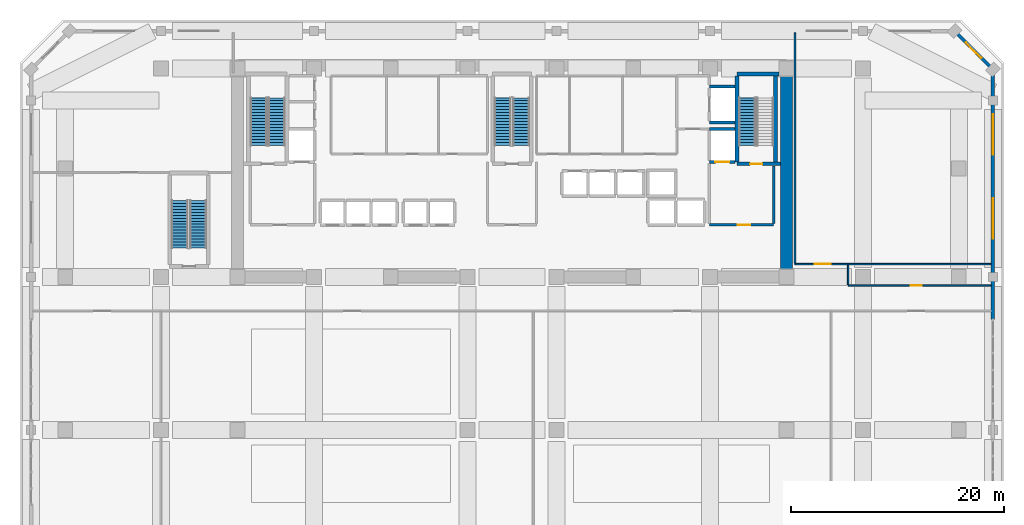
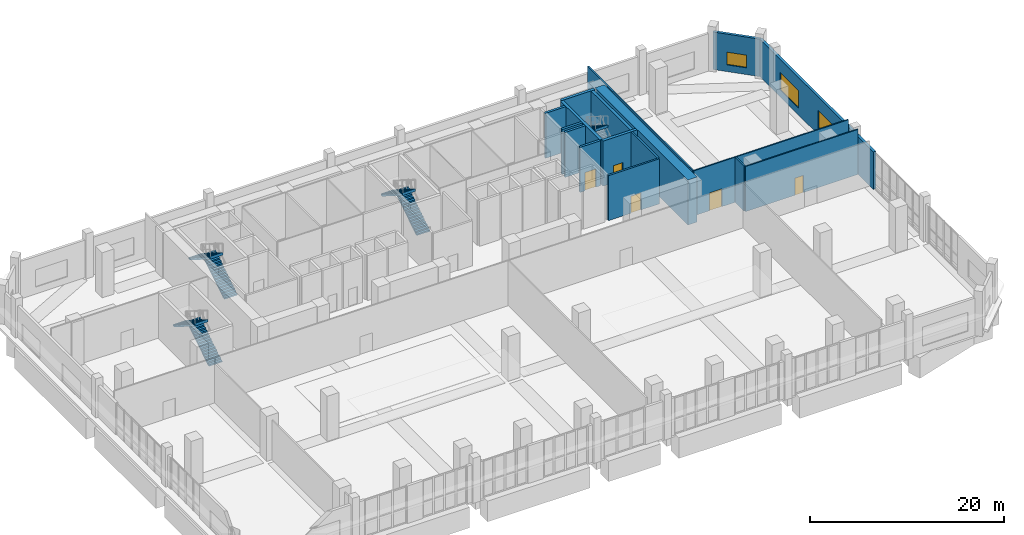
# One storey, part 21 of 25: 17 walls, 7 stair flights, 5 doors, 3 windows, 8 openings, 4 elements without a shape of their own.
"""IFC4 building model written with IfcOpenShell, lengths in metres."""

from ifc_helpers import new_model, si_unit, direction, frame, frame_2d, origin, place, context, subcontext, project, spatial, polyline, rectangle, outline, extrude, material, layer, layer_set, type_object, element, fill, aggregate, save


model = new_model("IFC4")

# Units and contexts
model_context = context("Model", 3, precision=1e-05, world=origin(), true_north=direction((0.0, 1.0)))
body_context = subcontext(model_context, "Body", "Model", "MODEL_VIEW")
ifc_project = project(units=[si_unit("LENGTHUNIT", "METRE"), si_unit("AREAUNIT", "SQUARE_METRE"), si_unit("VOLUMEUNIT", "CUBIC_METRE"), si_unit("PLANEANGLEUNIT", "RADIAN"), si_unit("MASSUNIT", "GRAM", prefix="KILO")], contexts=[model_context])

# Site, building, storey
site_placement = place(None, origin())
site = spatial("IfcSite", under=ifc_project, at=site_placement, CompositionType="ELEMENT")
building_placement = place(site_placement, origin())
building = spatial("IfcBuilding", under=site, at=building_placement, Name="Kaelvorn Grand Hotel", CompositionType="ELEMENT")
storey_placement = place(building_placement, frame((0.0, 0.0, 8.0)))
storey = spatial("IfcBuildingStorey", under=building, at=storey_placement, Name="L01", CompositionType="ELEMENT", Elevation=8.0)

# Wall
ifc_material_1 = material(Name="Concrete C80/95", Category="concrete")
ifc_layer_1 = layer(ifc_material_1, 1.10009765625)
ifc_layer_set_1 = layer_set([ifc_layer_1], Name="Concrete C80/95")
wall_type_1 = type_object("IfcWallType", Name="WL-CORE-1100-C80", PredefinedType="SHEAR", material=ifc_layer_set_1)
wall_1_placement = place(storey_placement, frame((67.800048828125, 29.39990234375, 0.0), z_axis=(0.0, 0.0, 1.0), x_axis=(0.0, 1.0, 0.0)))
element("IfcWall", 1, at=wall_1_placement, inside=storey, type_object=wall_type_1, Name="L01 Rear-Core East Shear Wall", PredefinedType="SHEAR", context=body_context, shape_type="SweptSolid", body=[
    extrude(rectangle(XDim=19.2001953125, YDim=1.10009765625, at=frame_2d((9.60009765625, 0.0))), origin(), (0.0, 0.0, 1.0), 5.679931640625),
])

# Wall, openings, windows
ifc_material_2 = material(Name="Concrete C40/50", Category="concrete")
ifc_layer_2 = layer(ifc_material_2, 0.300048828125)
ifc_layer_set_2 = layer_set([ifc_layer_2], Name="Concrete C40/50")
wall_type_2 = type_object("IfcWallType", Name="WL-EXT-300-C40", PredefinedType="SOLIDWALL", material=ifc_layer_set_2)
wall_2_placement = place(storey_placement, frame((87.199951171875, 25.39501953125, 0.0), z_axis=(0.0, 0.0, 1.0), x_axis=(0.0, 1.0, 0.0)))
wall_2 = element("IfcWall", 2, at=wall_2_placement, inside=storey, type_object=wall_type_2, Name="L01 Exterior Architectural Concrete Wall 03 Pier 3", PredefinedType="SOLIDWALL", context=body_context, shape_type="SweptSolid", body=[
    extrude(rectangle(XDim=23.5048828125, YDim=0.300048828125, at=frame_2d((11.75244140625, 0.0))), origin(), (0.0, 0.0, 1.0), 4.72998046875),
])
opening_1_placement = place(wall_2_placement, frame((7.60498046875, 0.0, 0.85009765625)))
opening_1 = element("IfcOpeningElement", 3, at=opening_1_placement, cuts=wall_2, Name="Opening W9", PredefinedType="OPENING", context=body_context, shape_type="SweptSolid", body=[
    extrude(rectangle(XDim=3.800048828125, YDim=2.199951171875, at=frame_2d((1.89990234375, 1.10009765625))), frame((0.0, 0.16015625, 0.0), z_axis=(0.0, -1.0, 0.0), x_axis=(1.0, 0.0, 0.0)), (0.0, 0.0, 1.0), 0.320068359375),
])
opening_2_placement = place(wall_2_placement, frame((15.5048828125, 0.0, 0.85009765625)))
opening_2 = element("IfcOpeningElement", 4, at=opening_2_placement, cuts=wall_2, Name="Opening W9", PredefinedType="OPENING", context=body_context, shape_type="SweptSolid", body=[
    extrude(rectangle(XDim=3.800048828125, YDim=2.199951171875, at=frame_2d((1.89990234375, 1.10009765625))), frame((0.0, 0.16015625, 0.0), z_axis=(0.0, -1.0, 0.0), x_axis=(1.0, 0.0, 0.0)), (0.0, 0.0, 1.0), 0.320068359375),
])
ifc_material_3 = material(Name="Laminated Low-E Glass", Category="glass")
window_type_1 = type_object("IfcWindowType", Name="WIN-POD-3800x2200", PartitioningType="SINGLE_PANEL", PredefinedType="WINDOW", material=ifc_material_3)
window_1_placement = place(opening_1_placement, origin())
window_1 = element("IfcWindow", 5, at=window_1_placement, inside=storey, type_object=window_type_1, Name="L01 Podium E Ribbon Window 1", OverallHeight=2.199951171875, OverallWidth=3.800048828125, PartitioningType="SINGLE_PANEL", PredefinedType="WINDOW", context=body_context, shape_type="SweptSolid", body=[
    extrude(rectangle(XDim=3.800048828125, YDim=2.199951171875, at=frame_2d((1.89990234375, 1.10009765625))), frame((0.0, 0.030029296875, 0.0), z_axis=(0.0, -1.0, 0.0), x_axis=(1.0, 0.0, 0.0)), (0.0, 0.0, 1.0), 0.06005859375),
])
fill(opening_1, window_1)
window_2_placement = place(opening_2_placement, origin())
window_2 = element("IfcWindow", 6, at=window_2_placement, inside=storey, type_object=window_type_1, Name="L01 Podium E Ribbon Window 2", OverallHeight=2.199951171875, OverallWidth=3.800048828125, PartitioningType="SINGLE_PANEL", PredefinedType="WINDOW", context=body_context, shape_type="SweptSolid", body=[
    extrude(rectangle(XDim=3.800048828125, YDim=2.199951171875, at=frame_2d((1.89990234375, 1.10009765625))), frame((0.0, 0.030029296875, 0.0), z_axis=(0.0, -1.0, 0.0), x_axis=(1.0, 0.0, 0.0)), (0.0, 0.0, 1.0), 0.06005859375),
])
fill(opening_2, window_2)

# Wall, opening, window
wall_3_placement = place(storey_placement, frame((87.199951171875, 48.89990234375, 0.0), z_axis=(0.0, 0.0, 1.0), x_axis=(-0.707082803744, 0.707130757816, 0.0)))
wall_3 = element("IfcWall", 7, at=wall_3_placement, inside=storey, type_object=wall_type_2, Name="L01 Exterior Architectural Concrete Wall 04", PredefinedType="SOLIDWALL", context=body_context, shape_type="SweptSolid", body=[
    extrude(rectangle(XDim=5.091064453125, YDim=0.300048828125, at=frame_2d((2.54541015625, 0.0))), origin(), (0.0, 0.0, 1.0), 4.72998046875),
])
opening_3_placement = place(wall_3_placement, frame((1.49560546875, 0.0, 0.85009765625)))
opening_3 = element("IfcOpeningElement", 8, at=opening_3_placement, cuts=wall_3, Name="Opening W7", PredefinedType="OPENING", context=body_context, shape_type="SweptSolid", body=[
    extrude(rectangle(XDim=2.10009765625, YDim=1.60009765625, at=frame_2d((1.050048828125, 0.800048828125))), frame((0.0, 0.16015625, 0.0), z_axis=(0.0, -1.0, 0.0), x_axis=(1.0, 0.0, 0.0)), (0.0, 0.0, 1.0), 0.320068359375),
])
window_type_2 = type_object("IfcWindowType", Name="WIN-CHM-2100x1600", PartitioningType="SINGLE_PANEL", PredefinedType="WINDOW", material=ifc_material_3)
window_3_placement = place(opening_3_placement, origin())
window_3 = element("IfcWindow", 9, at=window_3_placement, inside=storey, type_object=window_type_2, Name="L01 Chamfered 45-Degree Corner Window NE", OverallHeight=1.60009765625, OverallWidth=2.10009765625, PartitioningType="SINGLE_PANEL", PredefinedType="WINDOW", context=body_context, shape_type="SweptSolid", body=[
    extrude(rectangle(XDim=2.10009765625, YDim=1.60009765625, at=frame_2d((1.050048828125, 0.800048828125))), frame((0.0, 0.030029296875, 0.0), z_axis=(0.0, -1.0, 0.0), x_axis=(1.0, 0.0, 0.0)), (0.0, 0.0, 1.0), 0.06005859375),
])
fill(opening_3, window_3)

# Wall, opening, door
ifc_material_4 = material(Name="Acoustic Gypsum & Stud Partition")
ifc_layer_3 = layer(ifc_material_4, 0.14990234375)
ifc_layer_set_3 = layer_set([ifc_layer_3], Name="Acoustic Gypsum & Stud Partition")
wall_type_3 = type_object("IfcWallType", Name="WL-PART-150-EI60", PredefinedType="PARTITIONING", material=ifc_layer_set_3)
wall_4_placement = place(storey_placement, frame((68.60009765625, 30.60009765625, 0.0), z_axis=(0.0, 0.0, 1.0), x_axis=(1.0, 0.0, 0.0)))
wall_4 = element("IfcWall", 10, at=wall_4_placement, inside=storey, type_object=wall_type_3, Name="L01 L01 North-East Hospitality Office & Prep Suite S Partition", PredefinedType="PARTITIONING", context=body_context, shape_type="SweptSolid", body=[
    extrude(rectangle(XDim=18.44482421875, YDim=0.14990234375, at=frame_2d((9.222412109375, 0.0))), origin(), (0.0, 0.0, 1.0), 5.679931640625),
])
opening_4_placement = place(wall_4_placement, frame((1.85009765625, 0.0, 0.0)))
opening_4 = element("IfcOpeningElement", 11, at=opening_4_placement, cuts=wall_4, Name="Opening DI5", PredefinedType="OPENING", context=body_context, shape_type="SweptSolid", body=[
    extrude(rectangle(XDim=1.5, YDim=2.25, at=frame_2d((0.75, 1.125))), frame((0.0, 0.0849609375, 0.0), z_axis=(0.0, -1.0, 0.0), x_axis=(1.0, 0.0, 0.0)), (0.0, 0.0, 1.0), 0.169921875),
])
ifc_material_5 = material(Name="Timber Veneer Fire Leaf", Category="wood")
door_type_1 = type_object("IfcDoorType", Name="DR-INT-SALON-1500x2250", OperationType="DOUBLE_DOOR_SINGLE_SWING", PredefinedType="DOOR", material=ifc_material_5)
door_1_placement = place(opening_4_placement, origin())
door_1 = element("IfcDoor", 12, at=door_1_placement, inside=storey, type_object=door_type_1, Name="L01 L01 North-East Hospitality Office & Prep Suite Door", OperationType="DOUBLE_DOOR_SINGLE_SWING", OverallHeight=2.25, OverallWidth=1.5, PredefinedType="DOOR", context=body_context, shape_type="SweptSolid", body=[
    extrude(rectangle(XDim=1.5, YDim=2.25, at=frame_2d((0.75, 1.125))), frame((0.0, 0.02490234375, 0.0), z_axis=(0.0, -1.0, 0.0), x_axis=(1.0, 0.0, 0.0)), (0.0, 0.0, 1.0), 0.050048828125),
])
fill(opening_4, door_1)

# Wall
wall_5_placement = place(storey_placement, frame((68.60009765625, 30.679931640625, 0.0), z_axis=(0.0, 0.0, 1.0), x_axis=(0.0, 1.0, 0.0)))
element("IfcWall", 13, at=wall_5_placement, inside=storey, type_object=wall_type_3, Name="L01 L01 North-East Hospitality Office & Prep Suite W Partition", PredefinedType="PARTITIONING", context=body_context, shape_type="SweptSolid", body=[
    extrude(rectangle(XDim=21.6650390625, YDim=0.14990234375, at=frame_2d((10.83251953125, 0.0))), origin(), (0.0, 0.0, 1.0), 5.679931640625),
])

# Wall, opening, door
wall_6_placement = place(storey_placement, frame((73.60009765625, 28.60009765625, 0.0), z_axis=(0.0, 0.0, 1.0), x_axis=(1.0, 0.0, 0.0)))
wall_6 = element("IfcWall", 14, at=wall_6_placement, inside=storey, type_object=wall_type_3, Name="L01 L01 East Podium Support Office S Partition", PredefinedType="PARTITIONING", context=body_context, shape_type="SweptSolid", body=[
    extrude(rectangle(XDim=13.44482421875, YDim=0.14990234375, at=frame_2d((6.722412109375, 0.0))), origin(), (0.0, 0.0, 1.0), 5.679931640625),
])
opening_5_placement = place(wall_6_placement, frame((5.89990234375, 0.0, 0.0)))
opening_5 = element("IfcOpeningElement", 15, at=opening_5_placement, cuts=wall_6, Name="Opening DI3", PredefinedType="OPENING", context=body_context, shape_type="SweptSolid", body=[
    extrude(rectangle(XDim=1.0, YDim=2.14990234375, at=frame_2d((0.5, 1.074951171875))), frame((0.0, 0.0849609375, 0.0), z_axis=(0.0, -1.0, 0.0), x_axis=(1.0, 0.0, 0.0)), (0.0, 0.0, 1.0), 0.169921875),
])
door_type_2 = type_object("IfcDoorType", Name="DR-INT-GUEST-1000x2150", OperationType="NOTDEFINED", PredefinedType="DOOR", material=ifc_material_5)
door_2_placement = place(opening_5_placement, origin())
door_2 = element("IfcDoor", 16, at=door_2_placement, inside=storey, type_object=door_type_2, Name="L01 L01 East Podium Support Office Door", OperationType="SINGLE_SWING_LEFT", OverallHeight=2.14990234375, OverallWidth=1.0, PredefinedType="DOOR", context=body_context, shape_type="SweptSolid", body=[
    extrude(rectangle(XDim=1.0, YDim=2.14990234375, at=frame_2d((0.5, 1.074951171875))), frame((0.0, 0.02490234375, 0.0), z_axis=(0.0, -1.0, 0.0), x_axis=(1.0, 0.0, 0.0)), (0.0, 0.0, 1.0), 0.050048828125),
])
fill(opening_5, door_2)

# Wall
wall_7_placement = place(storey_placement, frame((73.60009765625, 28.679931640625, 0.0), z_axis=(0.0, 0.0, 1.0), x_axis=(0.0, 1.0, 0.0)))
element("IfcWall", 17, at=wall_7_placement, inside=storey, type_object=wall_type_3, Name="L01 L01 East Podium Support Office W Partition", PredefinedType="PARTITIONING", context=body_context, shape_type="SweptSolid", body=[
    extrude(rectangle(XDim=1.840087890625, YDim=0.14990234375, at=frame_2d((0.919921875, 0.0))), origin(), (0.0, 0.0, 1.0), 5.679931640625),
])

# Wall, opening, door
ifc_layer_4 = layer(ifc_material_2, 0.219970703125)
ifc_layer_set_4 = layer_set([ifc_layer_4], Name="Concrete C40/50")
wall_type_4 = type_object("IfcWallType", Name="WL-PART-220-EI120", PredefinedType="PARTITIONING", material=ifc_layer_set_4)
wall_8_placement = place(storey_placement, frame((60.550048828125, 34.300048828125, 0.0), z_axis=(0.0, 0.0, 1.0), x_axis=(1.0, 0.0, 0.0)))
wall_8 = element("IfcWall", 18, at=wall_8_placement, inside=storey, type_object=wall_type_4, Name="L01 Firefighting Lift Lobby 2 S Partition", PredefinedType="PARTITIONING", context=body_context, shape_type="SweptSolid", body=[
    extrude(rectangle(XDim=6.050048828125, YDim=0.219970703125, at=frame_2d((3.02490234375, 0.0))), origin(), (0.0, 0.0, 1.0), 5.679931640625),
])
opening_6_placement = place(wall_8_placement, frame((2.64990234375, 0.0, 0.0)))
opening_6 = element("IfcOpeningElement", 19, at=opening_6_placement, cuts=wall_8, Name="Opening DI2", PredefinedType="OPENING", context=body_context, shape_type="SweptSolid", body=[
    extrude(rectangle(XDim=1.199951171875, YDim=2.14990234375, at=frame_2d((0.60009765625, 1.074951171875))), frame((0.0, 0.1201171875, 0.0), z_axis=(0.0, -1.0, 0.0), x_axis=(1.0, 0.0, 0.0)), (0.0, 0.0, 1.0), 0.239990234375),
])
door_type_3 = type_object("IfcDoorType", Name="DR-INT-FFLOB-1200x2150", OperationType="NOTDEFINED", PredefinedType="DOOR", material=ifc_material_5)
door_3_placement = place(opening_6_placement, origin())
door_3 = element("IfcDoor", 20, at=door_3_placement, inside=storey, type_object=door_type_3, Name="L01 Firefighting Lift Lobby 2 Door", OperationType="SINGLE_SWING_RIGHT", OverallHeight=2.14990234375, OverallWidth=1.199951171875, PredefinedType="DOOR", context=body_context, shape_type="SweptSolid", body=[
    extrude(rectangle(XDim=1.199951171875, YDim=2.14990234375, at=frame_2d((0.60009765625, 1.074951171875))), frame((0.0, 0.02490234375, 0.0), z_axis=(0.0, -1.0, 0.0), x_axis=(1.0, 0.0, 0.0)), (0.0, 0.0, 1.0), 0.050048828125),
])
fill(opening_6, door_3)

# Wall
wall_9_placement = place(storey_placement, frame((66.60009765625, 34.4150390625, 0.0), z_axis=(0.0, 0.0, 1.0), x_axis=(0.0, 1.0, 0.0)))
element("IfcWall", 21, at=wall_9_placement, inside=storey, type_object=wall_type_4, Name="L01 Firefighting Lift Lobby 2 E Partition", PredefinedType="PARTITIONING", context=body_context, shape_type="SweptSolid", body=[
    extrude(rectangle(XDim=5.429931640625, YDim=0.219970703125, at=frame_2d((2.71484375, 0.0))), origin(), (0.0, 0.0, 1.0), 5.679931640625),
])

# Wall, opening, door
ifc_material_6 = material(Name="Concrete C50/60", Category="concrete")
ifc_layer_5 = layer(ifc_material_6, 0.280029296875)
ifc_layer_set_5 = layer_set([ifc_layer_5], Name="Concrete C50/60")
wall_type_5 = type_object("IfcWallType", Name="WL-SHAFT-280-C50", PredefinedType="SHEAR", material=ifc_layer_set_5)
wall_10_placement = place(storey_placement, frame((60.550048828125, 40.199951171875, 0.0), z_axis=(0.0, 0.0, 1.0), x_axis=(1.0, 0.0, 0.0)))
wall_10 = element("IfcWall", 22, at=wall_10_placement, inside=storey, type_object=wall_type_5, Name="L01 Lift FFL2 Shaft South Wall", PredefinedType="SHEAR", context=body_context, shape_type="SweptSolid", body=[
    extrude(rectangle(XDim=2.4150390625, YDim=0.280029296875, at=frame_2d((1.20751953125, 0.0))), origin(), (0.0, 0.0, 1.0), 5.679931640625),
])
opening_7_placement = place(wall_10_placement, frame((0.574951171875, 0.0, 0.0)))
opening_7 = element("IfcOpeningElement", 23, at=opening_7_placement, cuts=wall_10, Name="Opening LD-FFL2", PredefinedType="OPENING", context=body_context, shape_type="SweptSolid", body=[
    extrude(rectangle(XDim=1.300048828125, YDim=2.300048828125, at=frame_2d((0.64990234375, 1.14990234375))), frame((0.0, 0.14990234375, 0.0), z_axis=(0.0, -1.0, 0.0), x_axis=(1.0, 0.0, 0.0)), (0.0, 0.0, 1.0), 0.300048828125),
])
ifc_material_7 = material(Name="Stainless Steel", Category="steel")
door_type_4 = type_object("IfcDoorType", Name="DR-LIFT-SERV-1300x2300", OperationType="DOUBLE_DOOR_SLIDING", PredefinedType="DOOR", material=ifc_material_7)
door_4_placement = place(opening_7_placement, origin())
door_4 = element("IfcDoor", 24, at=door_4_placement, inside=storey, type_object=door_type_4, Name="L01 Lift FFL2 Sliding Landing Door LD-FFL2", OperationType="DOUBLE_DOOR_SLIDING", OverallHeight=2.300048828125, OverallWidth=1.300048828125, PredefinedType="DOOR", context=body_context, shape_type="SweptSolid", body=[
    extrude(rectangle(XDim=1.300048828125, YDim=2.300048828125, at=frame_2d((0.64990234375, 1.14990234375))), frame((0.0, 0.02490234375, 0.0), z_axis=(0.0, -1.0, 0.0), x_axis=(1.0, 0.0, 0.0)), (0.0, 0.0, 1.0), 0.050048828125),
])
fill(opening_7, door_4)

# Walls
for number, where, z_axis, x_axis, name in (
    (25, (60.550048828125, 43.300048828125, 0.0), (0.0, 0.0, 1.0), (1.0, 0.0, 0.0), "L01 Lift FFL2 Shaft North Wall"),
    (26, (60.550048828125, 43.89990234375, 0.0), (0.0, 0.0, 1.0), (1.0, 0.0, 0.0), "L01 Lift SV1 Shaft South Wall"),
    (27, (60.550048828125, 47.300048828125, 0.0), (0.0, 0.0, 1.0), (1.0, 0.0, 0.0), "L01 Lift SV1 Shaft North Wall"),
):
    element("IfcWall", number, at=place(storey_placement, frame(where, z_axis=z_axis, x_axis=x_axis)), inside=storey, type_object=wall_type_5, Name=name, PredefinedType="SHEAR", context=body_context, shape_type="SweptSolid", body=[
        extrude(rectangle(XDim=2.4150390625, YDim=0.280029296875, at=frame_2d((1.20751953125, 0.0))), origin(), (0.0, 0.0, 1.0), 5.679931640625),
    ])

# Wall, opening, door
ifc_material_8 = material(Name="Concrete C60/75", Category="concrete")
ifc_layer_6 = layer(ifc_material_8, 0.35009765625)
ifc_layer_set_6 = layer_set([ifc_layer_6], Name="Concrete C60/75")
wall_type_6 = type_object("IfcWallType", Name="WL-SHAFT-350-C60", PredefinedType="SHEAR", material=ifc_layer_set_6)
wall_11_placement = place(storey_placement, frame((63.14501953125, 40.02490234375, 0.0), z_axis=(0.0, 0.0, 1.0), x_axis=(1.0, 0.0, 0.0)))
wall_11 = element("IfcWall", 28, at=wall_11_placement, inside=storey, type_object=wall_type_6, Name="L01 ST3 Stair Shaft South Wall", PredefinedType="SHEAR", context=body_context, shape_type="SweptSolid", body=[
    extrude(rectangle(XDim=4.10009765625, YDim=0.35009765625, at=frame_2d((2.050048828125, 0.0))), origin(), (0.0, 0.0, 1.0), 5.679931640625),
])
opening_8_placement = place(wall_11_placement, frame((1.239990234375, 0.0, 0.0)))
opening_8 = element("IfcOpeningElement", 29, at=opening_8_placement, cuts=wall_11, Name="Opening DI1", PredefinedType="OPENING", context=body_context, shape_type="SweptSolid", body=[
    extrude(rectangle(XDim=1.14990234375, YDim=2.14990234375, at=frame_2d((0.574951171875, 1.074951171875))), frame((0.0, 0.18505859375, 0.0), z_axis=(0.0, -1.0, 0.0), x_axis=(1.0, 0.0, 0.0)), (0.0, 0.0, 1.0), 0.3701171875),
])
door_type_5 = type_object("IfcDoorType", Name="DR-INT-STAIR-1150x2150", OperationType="NOTDEFINED", PredefinedType="DOOR", material=ifc_material_5)
door_5_placement = place(opening_8_placement, origin())
door_5 = element("IfcDoor", 30, at=door_5_placement, inside=storey, type_object=door_type_5, Name="L01 ST3 Exit Stair Fire Door", OperationType="SINGLE_SWING_LEFT", OverallHeight=2.14990234375, OverallWidth=1.14990234375, PredefinedType="DOOR", context=body_context, shape_type="SweptSolid", body=[
    extrude(rectangle(XDim=1.14990234375, YDim=2.14990234375, at=frame_2d((0.574951171875, 1.074951171875))), frame((0.0, 0.02490234375, 0.0), z_axis=(0.0, -1.0, 0.0), x_axis=(1.0, 0.0, 0.0)), (0.0, 0.0, 1.0), 0.050048828125),
])
fill(opening_8, door_5)

# Walls
wall_12_placement = place(storey_placement, frame((63.14501953125, 48.47509765625, 0.0), z_axis=(0.0, 0.0, 1.0), x_axis=(1.0, 0.0, 0.0)))
element("IfcWall", 31, at=wall_12_placement, inside=storey, type_object=wall_type_6, Name="L01 ST3 Stair Shaft North Wall", PredefinedType="SHEAR", context=body_context, shape_type="SweptSolid", body=[
    extrude(rectangle(XDim=3.949951171875, YDim=0.35009765625, at=frame_2d((1.97509765625, 0.0))), origin(), (0.0, 0.0, 1.0), 5.679931640625),
])
for number, where, z_axis, x_axis, name in (
    (32, (63.14501953125, 40.205078125, 0.0), (0.0, 0.0, 1.0), (0.0, 1.0, 0.0), "L01 ST3 Stair Shaft West Wall"),
    (33, (66.77490234375, 40.205078125, 0.0), (0.0, 0.0, 1.0), (0.0, 1.0, 0.0), "L01 ST3 Stair Shaft East Wall"),
):
    element("IfcWall", number, at=place(storey_placement, frame(where, z_axis=z_axis, x_axis=x_axis)), inside=storey, type_object=wall_type_6, Name=name, PredefinedType="SHEAR", context=body_context, shape_type="SweptSolid", body=[
        extrude(rectangle(XDim=8.08984375, YDim=0.35009765625, at=frame_2d((4.044921875, 0.0))), origin(), (0.0, 0.0, 1.0), 5.679931640625),
    ])

# Stair, stair flights
stair_type = type_object("IfcStairType", Name="STR-DOG-1560-R03", PredefinedType="HALF_TURN_STAIR", material=ifc_material_2)
stair_1_placement = place(storey_placement, origin())
stair_1 = element("IfcStair", 34, at=stair_1_placement, inside=storey, type_object=stair_type, Name="L01 West Core Exit Stair ST1", PredefinedType="HALF_TURN_STAIR")
stair_flight_type = type_object("IfcStairFlightType", Name="FLG-DOG-1560-R03", PredefinedType="STRAIGHT", material=ifc_material_2)
stair_flight_1_placement = place(storey_placement, frame((19.89990234375, 41.760009765625, 0.0), z_axis=(0.0, 0.0, 1.0), x_axis=(0.0, 1.0, 0.0)))
stair_flight_1 = element("IfcStairFlight", 35, at=stair_flight_1_placement, type_object=stair_flight_type, Name="ST1 flight 1", NumberOfRisers=17, NumberOfTreads=16, PredefinedType="STRAIGHT", RiserHeight=0.176470588, TreadLength=0.28, context=body_context, shape_type="SweptSolid", body=[
    extrude(outline(polyline([(-0.0048828125, 0.0), (-0.0048828125, 0.0400390625), (0.0, 0.176513671875), (0.280029296875, 0.176513671875), (0.280029296875, 0.35302734375), (0.56005859375, 0.35302734375), (0.56005859375, 0.529296875), (0.840087890625, 0.529296875), (0.840087890625, 0.705810546875), (1.1201171875, 0.705810546875), (1.1201171875, 0.88232421875), (1.39990234375, 0.88232421875), (1.39990234375, 1.058837890625), (1.679931640625, 1.058837890625), (1.679931640625, 1.2353515625), (1.9599609375, 1.2353515625), (1.9599609375, 1.411865234375), (2.239990234375, 1.411865234375), (2.239990234375, 1.588134765625), (2.52001953125, 1.588134765625), (2.52001953125, 1.7646484375), (2.800048828125, 1.7646484375), (2.800048828125, 1.941162109375), (3.080078125, 1.941162109375), (3.080078125, 2.11767578125), (3.360107421875, 2.11767578125), (3.360107421875, 2.294189453125), (3.639892578125, 2.294189453125), (3.639892578125, 2.470703125), (3.919921875, 2.470703125), (3.919921875, 2.64697265625), (4.199951171875, 2.64697265625), (4.199951171875, 2.823486328125), (4.47998046875, 2.823486328125), (4.47998046875, 3.0), (4.485107421875, 3.0), (4.485107421875, 2.646240234375), (0.28125, 0.0), (-0.0048828125, 0.0)])), frame((0.0, 0.780029296875, 0.0), z_axis=(0.0, -1.0, 0.0), x_axis=(1.0, 0.0, 0.0)), (0.0, 0.0, 1.0), 1.56005859375),
])
stair_flight_2_placement = place(storey_placement, frame((18.179931640625, 46.239990234375, 3.0), z_axis=(0.0, 0.0, 1.0), x_axis=(0.0, -1.0, 0.0)))
stair_flight_2 = element("IfcStairFlight", 36, at=stair_flight_2_placement, type_object=stair_flight_type, Name="ST1 flight 2", NumberOfRisers=17, NumberOfTreads=16, PredefinedType="STRAIGHT", RiserHeight=0.176470588, TreadLength=0.28, context=body_context, shape_type="SweptSolid", body=[
    extrude(outline(polyline([(-0.0048828125, 0.0), (-0.0048828125, 0.0400390625), (0.0, 0.176513671875), (0.280029296875, 0.176513671875), (0.280029296875, 0.35302734375), (0.56005859375, 0.35302734375), (0.56005859375, 0.529296875), (0.840087890625, 0.529296875), (0.840087890625, 0.705810546875), (1.1201171875, 0.705810546875), (1.1201171875, 0.88232421875), (1.39990234375, 0.88232421875), (1.39990234375, 1.058837890625), (1.679931640625, 1.058837890625), (1.679931640625, 1.2353515625), (1.9599609375, 1.2353515625), (1.9599609375, 1.411865234375), (2.239990234375, 1.411865234375), (2.239990234375, 1.588134765625), (2.52001953125, 1.588134765625), (2.52001953125, 1.7646484375), (2.800048828125, 1.7646484375), (2.800048828125, 1.941162109375), (3.080078125, 1.941162109375), (3.080078125, 2.11767578125), (3.360107421875, 2.11767578125), (3.360107421875, 2.294189453125), (3.639892578125, 2.294189453125), (3.639892578125, 2.470703125), (3.919921875, 2.470703125), (3.919921875, 2.64697265625), (4.199951171875, 2.64697265625), (4.199951171875, 2.823486328125), (4.47998046875, 2.823486328125), (4.47998046875, 3.0), (4.485107421875, 3.0), (4.485107421875, 2.646240234375), (0.28125, 0.0), (-0.0048828125, 0.0)])), frame((0.0, 0.780029296875, 0.0), z_axis=(0.0, -1.0, 0.0), x_axis=(1.0, 0.0, 0.0)), (0.0, 0.0, 1.0), 1.56005859375),
])
aggregate(stair_1, [stair_flight_1, stair_flight_2])

stair_2_placement = place(storey_placement, origin())
stair_2 = element("IfcStair", 37, at=stair_2_placement, inside=storey, type_object=stair_type, Name="L01 Central Core Exit Stair ST2", PredefinedType="HALF_TURN_STAIR")
stair_flight_3_placement = place(storey_placement, frame((42.860107421875, 41.760009765625, 0.0), z_axis=(0.0, 0.0, 1.0), x_axis=(0.0, 1.0, 0.0)))
stair_flight_3 = element("IfcStairFlight", 38, at=stair_flight_3_placement, type_object=stair_flight_type, Name="ST2 flight 1", NumberOfRisers=17, NumberOfTreads=16, PredefinedType="STRAIGHT", RiserHeight=0.176470588, TreadLength=0.28, context=body_context, shape_type="SweptSolid", body=[
    extrude(outline(polyline([(-0.0048828125, 0.0), (-0.0048828125, 0.0400390625), (0.0, 0.176513671875), (0.280029296875, 0.176513671875), (0.280029296875, 0.35302734375), (0.56005859375, 0.35302734375), (0.56005859375, 0.529296875), (0.840087890625, 0.529296875), (0.840087890625, 0.705810546875), (1.1201171875, 0.705810546875), (1.1201171875, 0.88232421875), (1.39990234375, 0.88232421875), (1.39990234375, 1.058837890625), (1.679931640625, 1.058837890625), (1.679931640625, 1.2353515625), (1.9599609375, 1.2353515625), (1.9599609375, 1.411865234375), (2.239990234375, 1.411865234375), (2.239990234375, 1.588134765625), (2.52001953125, 1.588134765625), (2.52001953125, 1.7646484375), (2.800048828125, 1.7646484375), (2.800048828125, 1.941162109375), (3.080078125, 1.941162109375), (3.080078125, 2.11767578125), (3.360107421875, 2.11767578125), (3.360107421875, 2.294189453125), (3.639892578125, 2.294189453125), (3.639892578125, 2.470703125), (3.919921875, 2.470703125), (3.919921875, 2.64697265625), (4.199951171875, 2.64697265625), (4.199951171875, 2.823486328125), (4.47998046875, 2.823486328125), (4.47998046875, 3.0), (4.485107421875, 3.0), (4.485107421875, 2.646240234375), (0.28125, 0.0), (-0.0048828125, 0.0)])), frame((0.0, 0.780029296875, 0.0), z_axis=(0.0, -1.0, 0.0), x_axis=(1.0, 0.0, 0.0)), (0.0, 0.0, 1.0), 1.56005859375),
])
stair_flight_4_placement = place(storey_placement, frame((41.139892578125, 46.239990234375, 3.0), z_axis=(0.0, 0.0, 1.0), x_axis=(0.0, -1.0, 0.0)))
stair_flight_4 = element("IfcStairFlight", 39, at=stair_flight_4_placement, type_object=stair_flight_type, Name="ST2 flight 2", NumberOfRisers=17, NumberOfTreads=16, PredefinedType="STRAIGHT", RiserHeight=0.176470588, TreadLength=0.28, context=body_context, shape_type="SweptSolid", body=[
    extrude(outline(polyline([(-0.0048828125, 0.0), (-0.0048828125, 0.0400390625), (0.0, 0.176513671875), (0.280029296875, 0.176513671875), (0.280029296875, 0.35302734375), (0.56005859375, 0.35302734375), (0.56005859375, 0.529296875), (0.840087890625, 0.529296875), (0.840087890625, 0.705810546875), (1.1201171875, 0.705810546875), (1.1201171875, 0.88232421875), (1.39990234375, 0.88232421875), (1.39990234375, 1.058837890625), (1.679931640625, 1.058837890625), (1.679931640625, 1.2353515625), (1.9599609375, 1.2353515625), (1.9599609375, 1.411865234375), (2.239990234375, 1.411865234375), (2.239990234375, 1.588134765625), (2.52001953125, 1.588134765625), (2.52001953125, 1.7646484375), (2.800048828125, 1.7646484375), (2.800048828125, 1.941162109375), (3.080078125, 1.941162109375), (3.080078125, 2.11767578125), (3.360107421875, 2.11767578125), (3.360107421875, 2.294189453125), (3.639892578125, 2.294189453125), (3.639892578125, 2.470703125), (3.919921875, 2.470703125), (3.919921875, 2.64697265625), (4.199951171875, 2.64697265625), (4.199951171875, 2.823486328125), (4.47998046875, 2.823486328125), (4.47998046875, 3.0), (4.485107421875, 3.0), (4.485107421875, 2.646240234375), (0.28125, 0.0), (-0.0048828125, 0.0)])), frame((0.0, 0.780029296875, 0.0), z_axis=(0.0, -1.0, 0.0), x_axis=(1.0, 0.0, 0.0)), (0.0, 0.0, 1.0), 1.56005859375),
])
aggregate(stair_2, [stair_flight_3, stair_flight_4])

# Stair, stair flight
stair_3_placement = place(storey_placement, origin())
stair_3 = element("IfcStair", 40, at=stair_3_placement, inside=storey, type_object=stair_type, Name="L01 East Core Exit Stair ST3", PredefinedType="HALF_TURN_STAIR")
stair_flight_5_placement = place(storey_placement, frame((64.10009765625, 46.239990234375, 3.0), z_axis=(0.0, 0.0, 1.0), x_axis=(0.0, -1.0, 0.0)))
stair_flight_5 = element("IfcStairFlight", 41, at=stair_flight_5_placement, type_object=stair_flight_type, Name="ST3 flight 2", NumberOfRisers=17, NumberOfTreads=16, PredefinedType="STRAIGHT", RiserHeight=0.176470588, TreadLength=0.28, context=body_context, shape_type="SweptSolid", body=[
    extrude(outline(polyline([(-0.0048828125, 0.0), (-0.0048828125, 0.0400390625), (0.0, 0.176513671875), (0.280029296875, 0.176513671875), (0.280029296875, 0.35302734375), (0.56005859375, 0.35302734375), (0.56005859375, 0.529296875), (0.840087890625, 0.529296875), (0.840087890625, 0.705810546875), (1.1201171875, 0.705810546875), (1.1201171875, 0.88232421875), (1.39990234375, 0.88232421875), (1.39990234375, 1.058837890625), (1.679931640625, 1.058837890625), (1.679931640625, 1.2353515625), (1.9599609375, 1.2353515625), (1.9599609375, 1.411865234375), (2.239990234375, 1.411865234375), (2.239990234375, 1.588134765625), (2.52001953125, 1.588134765625), (2.52001953125, 1.7646484375), (2.800048828125, 1.7646484375), (2.800048828125, 1.941162109375), (3.080078125, 1.941162109375), (3.080078125, 2.11767578125), (3.360107421875, 2.11767578125), (3.360107421875, 2.294189453125), (3.639892578125, 2.294189453125), (3.639892578125, 2.470703125), (3.919921875, 2.470703125), (3.919921875, 2.64697265625), (4.199951171875, 2.64697265625), (4.199951171875, 2.823486328125), (4.47998046875, 2.823486328125), (4.47998046875, 3.0), (4.485107421875, 3.0), (4.485107421875, 2.646240234375), (0.28125, 0.0), (-0.0048828125, 0.0)])), frame((0.0, 0.780029296875, 0.0), z_axis=(0.0, -1.0, 0.0), x_axis=(1.0, 0.0, 0.0)), (0.0, 0.0, 1.0), 1.56005859375),
])
aggregate(stair_3, [stair_flight_5])

# Stair, stair flights
stair_4_placement = place(storey_placement, origin())
stair_4 = element("IfcStair", 42, at=stair_4_placement, inside=storey, type_object=stair_type, Name="L01 Podium Grand Stair ST4", PredefinedType="HALF_TURN_STAIR")
stair_flight_6_placement = place(storey_placement, frame((12.5, 32.110107421875, 0.0), z_axis=(0.0, 0.0, 1.0), x_axis=(0.0, 1.0, 0.0)))
stair_flight_6 = element("IfcStairFlight", 43, at=stair_flight_6_placement, type_object=stair_flight_type, Name="ST4 flight 1", NumberOfRisers=17, NumberOfTreads=16, PredefinedType="STRAIGHT", RiserHeight=0.176470588, TreadLength=0.28, context=body_context, shape_type="SweptSolid", body=[
    extrude(outline(polyline([(-0.0048828125, 0.0), (-0.0048828125, 0.0400390625), (0.0, 0.176513671875), (0.280029296875, 0.176513671875), (0.280029296875, 0.35302734375), (0.56005859375, 0.35302734375), (0.56005859375, 0.529296875), (0.840087890625, 0.529296875), (0.840087890625, 0.705810546875), (1.1201171875, 0.705810546875), (1.1201171875, 0.88232421875), (1.39990234375, 0.88232421875), (1.39990234375, 1.058837890625), (1.679931640625, 1.058837890625), (1.679931640625, 1.2353515625), (1.9599609375, 1.2353515625), (1.9599609375, 1.411865234375), (2.239990234375, 1.411865234375), (2.239990234375, 1.588134765625), (2.52001953125, 1.588134765625), (2.52001953125, 1.7646484375), (2.800048828125, 1.7646484375), (2.800048828125, 1.941162109375), (3.080078125, 1.941162109375), (3.080078125, 2.11767578125), (3.360107421875, 2.11767578125), (3.360107421875, 2.294189453125), (3.639892578125, 2.294189453125), (3.639892578125, 2.470703125), (3.919921875, 2.470703125), (3.919921875, 2.64697265625), (4.199951171875, 2.64697265625), (4.199951171875, 2.823486328125), (4.47998046875, 2.823486328125), (4.47998046875, 3.0), (4.485107421875, 3.0), (4.485107421875, 2.646240234375), (0.28125, 0.0), (-0.0048828125, 0.0)])), frame((0.0, 0.780029296875, 0.0), z_axis=(0.0, -1.0, 0.0), x_axis=(1.0, 0.0, 0.0)), (0.0, 0.0, 1.0), 1.56005859375),
])
stair_flight_7_placement = place(storey_placement, frame((10.780029296875, 36.590087890625, 3.0), z_axis=(0.0, 0.0, 1.0), x_axis=(0.0, -1.0, 0.0)))
stair_flight_7 = element("IfcStairFlight", 44, at=stair_flight_7_placement, type_object=stair_flight_type, Name="ST4 flight 2", NumberOfRisers=17, NumberOfTreads=16, PredefinedType="STRAIGHT", RiserHeight=0.176470588, TreadLength=0.28, context=body_context, shape_type="SweptSolid", body=[
    extrude(outline(polyline([(-0.0048828125, 0.0), (-0.0048828125, 0.0400390625), (0.0, 0.176513671875), (0.280029296875, 0.176513671875), (0.280029296875, 0.35302734375), (0.56005859375, 0.35302734375), (0.56005859375, 0.529296875), (0.840087890625, 0.529296875), (0.840087890625, 0.705810546875), (1.1201171875, 0.705810546875), (1.1201171875, 0.88232421875), (1.39990234375, 0.88232421875), (1.39990234375, 1.058837890625), (1.679931640625, 1.058837890625), (1.679931640625, 1.2353515625), (1.9599609375, 1.2353515625), (1.9599609375, 1.411865234375), (2.239990234375, 1.411865234375), (2.239990234375, 1.588134765625), (2.52001953125, 1.588134765625), (2.52001953125, 1.7646484375), (2.800048828125, 1.7646484375), (2.800048828125, 1.941162109375), (3.080078125, 1.941162109375), (3.080078125, 2.11767578125), (3.360107421875, 2.11767578125), (3.360107421875, 2.294189453125), (3.639892578125, 2.294189453125), (3.639892578125, 2.470703125), (3.919921875, 2.470703125), (3.919921875, 2.64697265625), (4.199951171875, 2.64697265625), (4.199951171875, 2.823486328125), (4.47998046875, 2.823486328125), (4.47998046875, 3.0), (4.485107421875, 3.0), (4.485107421875, 2.646240234375), (0.28125, 0.0), (-0.0048828125, 0.0)])), frame((0.0, 0.780029296875, 0.0), z_axis=(0.0, -1.0, 0.0), x_axis=(1.0, 0.0, 0.0)), (0.0, 0.0, 1.0), 1.56005859375),
])
aggregate(stair_4, [stair_flight_6, stair_flight_7])

save(model, "model.ifc")
